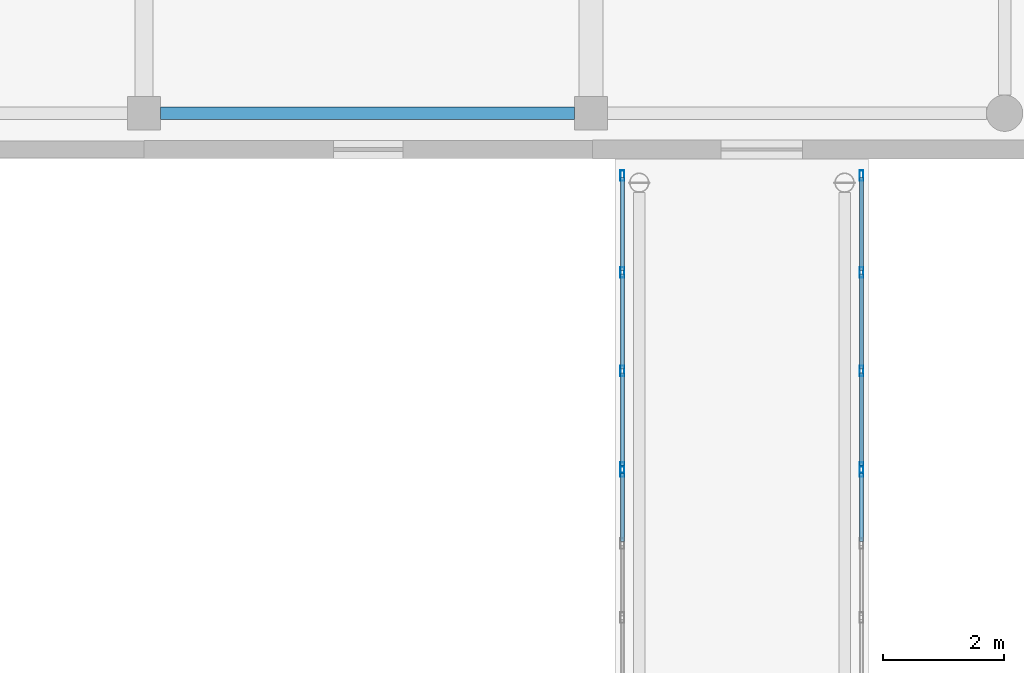
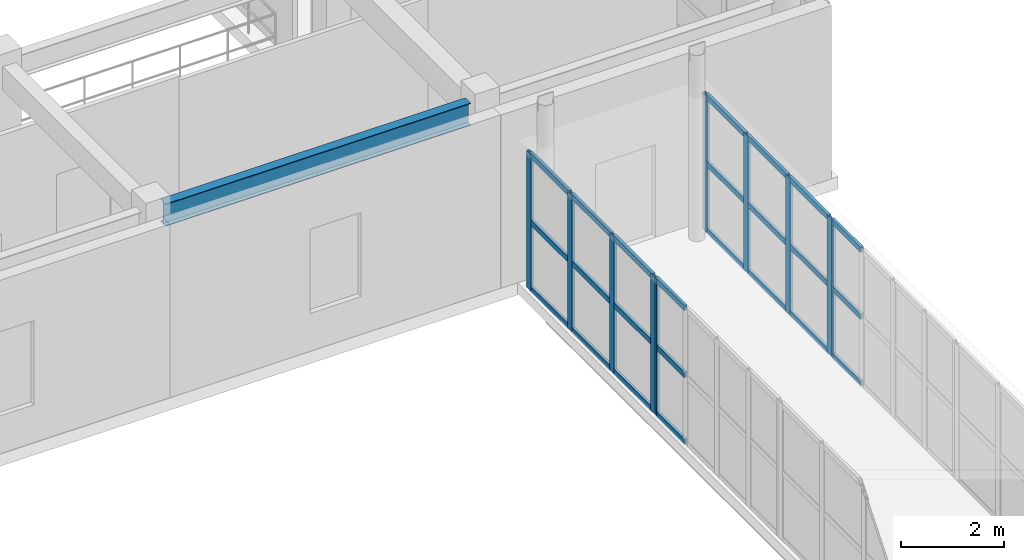
# One storey, part 28 of 142: 34 members, 1 beam, 4 elements without a shape of their own.
"""IFC4 building model written with IfcOpenShell, lengths in metres."""

from ifc_helpers import new_model, si_unit, direction, frame, origin, origin_2d, place, context, subcontext, project, spatial, hollow_rectangle, i_section, extrude, material, layer, layer_set, material_profile, profile_set, type_object, element, aggregate, save


model = new_model("IFC4")

# Units and contexts
model_context = context("Model", 3, precision=1e-05, world=origin(), true_north=direction((0.0, 1.0)))
body_context = subcontext(model_context, "Body", "Model", "MODEL_VIEW")
ifc_project = project(units=[si_unit("LENGTHUNIT", "METRE"), si_unit("AREAUNIT", "SQUARE_METRE"), si_unit("VOLUMEUNIT", "CUBIC_METRE"), si_unit("PLANEANGLEUNIT", "RADIAN"), si_unit("MASSUNIT", "GRAM", prefix="KILO")], contexts=[model_context])

# Site, building, storey
site_placement = place(None, origin())
site = spatial("IfcSite", under=ifc_project, at=site_placement, CompositionType="ELEMENT")
building_placement = place(site_placement, origin())
building = spatial("IfcBuilding", under=site, at=building_placement, Name="Valcora Specialist Clinic", CompositionType="ELEMENT")
storey_placement = place(building_placement, frame((0.0, 0.0, 5.10009765625)))
storey = spatial("IfcBuildingStorey", under=building, at=storey_placement, Name="L01", CompositionType="ELEMENT", Elevation=5.10009765625)

# Beam
ifc_material_1 = material(Name="Steel ASTM A992 Grade 50", Category="steel")
ifc_material_profile_1 = material_profile(ifc_material_1, i_section(OverallWidth=0.208984375, OverallDepth=0.532958984375, WebThickness=0.010009765625, FlangeThickness=0.01611328125, at=origin_2d()), Name="ST-IR-530X210")
ifc_profile_set_1 = profile_set([ifc_material_profile_1], Name="Steel ASTM A992 Grade 50")
beam_type = type_object("IfcBeamType", Name="TY-BM-IR530", PredefinedType="SPANDREL", material=ifc_profile_set_1)
beam_placement = place(storey_placement, frame((15.27490234375, 38.75, 3.849365234375), z_axis=(1.0, 0.0, 0.0), x_axis=(0.0, 1.0, 0.0)))
element("IfcBeam", 1, at=beam_placement, inside=storey, type_object=beam_type, Name="Beam BM-L01-0135", PredefinedType="SPANDREL", context=body_context, shape_type="SweptSolid", body=[
    extrude(i_section(OverallWidth=0.208984375, OverallDepth=0.532958984375, WebThickness=0.010009765625, FlangeThickness=0.01611328125, at=origin_2d()), origin(), (0.0, 0.0, 1.0), 6.85009765625),
])

# Curtain wall, member
ifc_material_2 = material(Name="Anodized Bronze Aluminium 6063-T6", Category="aluminium")
ifc_layer = layer(ifc_material_2, 0.175048828125)
ifc_layer_set = layer_set([ifc_layer], Name="Anodized Bronze Aluminium 6063-T6")
curtain_wall_type = type_object("IfcCurtainWallType", Name="TY-CW-BRG14", PredefinedType="NOTDEFINED", material=ifc_layer_set)
curtain_wall_1_placement = place(storey_placement, origin())
curtain_wall_1 = element("IfcCurtainWall", 2, at=curtain_wall_1_placement, inside=storey, type_object=curtain_wall_type, Name="Curtain wall CW-L01-226", PredefinedType="NOTDEFINED")
ifc_material_profile_2 = material_profile(ifc_material_2, hollow_rectangle(XDim=0.06494140625, YDim=0.175048828125, WallThickness=0.00390625, at=origin_2d()), Name="AL-MUL-65X175")
ifc_profile_set_2 = profile_set([ifc_material_profile_2], Name="Anodized Bronze Aluminium 6063-T6")
member_type_1 = type_object("IfcMemberType", Name="TY-CWM-65X175", PredefinedType="MULLION", material=ifc_profile_set_2)
member_1_placement = place(storey_placement, frame((22.919921875, 32.8173828125, 0.0), z_axis=(0.0, 0.0, 1.0), x_axis=(-1.0, 0.0, 0.0)))
member_1 = element("IfcMember", 3, at=member_1_placement, type_object=member_type_1, Name="CW-BRG-14 mullion 5", PredefinedType="MULLION", context=body_context, shape_type="SweptSolid", body=[
    extrude(hollow_rectangle(XDim=0.06494140625, YDim=0.175048828125, WallThickness=0.00390625, at=origin_2d()), origin(), (0.0, 0.0, 1.0), 3.239990234375),
])

# Curtain wall, members
curtain_wall_2_placement = place(storey_placement, origin())
curtain_wall_2 = element("IfcCurtainWall", 4, at=curtain_wall_2_placement, inside=storey, type_object=curtain_wall_type, Name="Curtain wall CW-L01-227", PredefinedType="NOTDEFINED")
member_2_placement = place(storey_placement, frame((22.919921875, 32.882568359375, 0.0), z_axis=(0.0, 0.0, 1.0), x_axis=(-1.0, 0.0, 0.0)))
member_2 = element("IfcMember", 5, at=member_2_placement, type_object=member_type_1, Name="CW-BRG-14 mullion 1", PredefinedType="MULLION", context=body_context, shape_type="SweptSolid", body=[
    extrude(hollow_rectangle(XDim=0.06494140625, YDim=0.175048828125, WallThickness=0.00390625, at=origin_2d()), origin(), (0.0, 0.0, 1.0), 3.239990234375),
])
member_3_placement = place(storey_placement, frame((22.919921875, 34.4833984375, 0.0), z_axis=(0.0, 0.0, 1.0), x_axis=(-1.0, 0.0, 0.0)))
member_3 = element("IfcMember", 6, at=member_3_placement, type_object=member_type_1, Name="CW-BRG-14 mullion 2", PredefinedType="MULLION", context=body_context, shape_type="SweptSolid", body=[
    extrude(hollow_rectangle(XDim=0.06494140625, YDim=0.175048828125, WallThickness=0.00390625, at=origin_2d()), origin(), (0.0, 0.0, 1.0), 3.239990234375),
])
member_4_placement = place(storey_placement, frame((22.919921875, 36.11669921875, 0.0), z_axis=(0.0, 0.0, 1.0), x_axis=(-1.0, 0.0, 0.0)))
member_4 = element("IfcMember", 7, at=member_4_placement, type_object=member_type_1, Name="CW-BRG-14 mullion 3", PredefinedType="MULLION", context=body_context, shape_type="SweptSolid", body=[
    extrude(hollow_rectangle(XDim=0.06494140625, YDim=0.175048828125, WallThickness=0.00390625, at=origin_2d()), origin(), (0.0, 0.0, 1.0), 3.239990234375),
])
member_5_placement = place(storey_placement, frame((22.919921875, 37.717529296875, 0.0), z_axis=(0.0, 0.0, 1.0), x_axis=(-1.0, 0.0, 0.0)))
member_5 = element("IfcMember", 8, at=member_5_placement, type_object=member_type_1, Name="CW-BRG-14 mullion 4", PredefinedType="MULLION", context=body_context, shape_type="SweptSolid", body=[
    extrude(hollow_rectangle(XDim=0.06494140625, YDim=0.175048828125, WallThickness=0.00390625, at=origin_2d()), origin(), (0.0, 0.0, 1.0), 3.239990234375),
])

# Curtain wall, member
curtain_wall_3_placement = place(storey_placement, origin())
curtain_wall_3 = element("IfcCurtainWall", 9, at=curtain_wall_3_placement, inside=storey, type_object=curtain_wall_type, Name="Curtain wall CW-L01-229", PredefinedType="NOTDEFINED")
member_6_placement = place(storey_placement, frame((26.8798828125, 32.8173828125, 0.0), z_axis=(0.0, 0.0, 1.0), x_axis=(-1.0, 0.0, 0.0)))
member_6 = element("IfcMember", 10, at=member_6_placement, type_object=member_type_1, Name="CW-BRG-14 mullion 5", PredefinedType="MULLION", context=body_context, shape_type="SweptSolid", body=[
    extrude(hollow_rectangle(XDim=0.06494140625, YDim=0.175048828125, WallThickness=0.00390625, at=origin_2d()), origin(), (0.0, 0.0, 1.0), 3.239990234375),
])

# Curtain wall, members
curtain_wall_4_placement = place(storey_placement, origin())
curtain_wall_4 = element("IfcCurtainWall", 11, at=curtain_wall_4_placement, inside=storey, type_object=curtain_wall_type, Name="Curtain wall CW-L01-230", PredefinedType="NOTDEFINED")
member_7_placement = place(storey_placement, frame((26.8798828125, 32.882568359375, 0.0), z_axis=(0.0, 0.0, 1.0), x_axis=(-1.0, 0.0, 0.0)))
member_7 = element("IfcMember", 12, at=member_7_placement, type_object=member_type_1, Name="CW-BRG-14 mullion 1", PredefinedType="MULLION", context=body_context, shape_type="SweptSolid", body=[
    extrude(hollow_rectangle(XDim=0.06494140625, YDim=0.175048828125, WallThickness=0.00390625, at=origin_2d()), origin(), (0.0, 0.0, 1.0), 3.239990234375),
])
member_8_placement = place(storey_placement, frame((26.8798828125, 34.4833984375, 0.0), z_axis=(0.0, 0.0, 1.0), x_axis=(-1.0, 0.0, 0.0)))
member_8 = element("IfcMember", 13, at=member_8_placement, type_object=member_type_1, Name="CW-BRG-14 mullion 2", PredefinedType="MULLION", context=body_context, shape_type="SweptSolid", body=[
    extrude(hollow_rectangle(XDim=0.06494140625, YDim=0.175048828125, WallThickness=0.00390625, at=origin_2d()), origin(), (0.0, 0.0, 1.0), 3.239990234375),
])
member_9_placement = place(storey_placement, frame((26.8798828125, 36.11669921875, 0.0), z_axis=(0.0, 0.0, 1.0), x_axis=(-1.0, 0.0, 0.0)))
member_9 = element("IfcMember", 14, at=member_9_placement, type_object=member_type_1, Name="CW-BRG-14 mullion 3", PredefinedType="MULLION", context=body_context, shape_type="SweptSolid", body=[
    extrude(hollow_rectangle(XDim=0.06494140625, YDim=0.175048828125, WallThickness=0.00390625, at=origin_2d()), origin(), (0.0, 0.0, 1.0), 3.239990234375),
])
member_10_placement = place(storey_placement, frame((26.8798828125, 37.717529296875, 0.0), z_axis=(0.0, 0.0, 1.0), x_axis=(-1.0, 0.0, 0.0)))
member_10 = element("IfcMember", 15, at=member_10_placement, type_object=member_type_1, Name="CW-BRG-14 mullion 4", PredefinedType="MULLION", context=body_context, shape_type="SweptSolid", body=[
    extrude(hollow_rectangle(XDim=0.06494140625, YDim=0.175048828125, WallThickness=0.00390625, at=origin_2d()), origin(), (0.0, 0.0, 1.0), 3.239990234375),
])

# Member
ifc_material_profile_3 = material_profile(ifc_material_2, hollow_rectangle(XDim=0.06494140625, YDim=0.1298828125, WallThickness=0.00390625, at=origin_2d()), Name="AL-TRN-65X130")
ifc_profile_set_3 = profile_set([ifc_material_profile_3], Name="Anodized Bronze Aluminium 6063-T6")
member_type_2 = type_object("IfcMemberType", Name="TY-CWT-65X130", PredefinedType="USERDEFINED", material=ifc_profile_set_3)
member_11_placement = place(storey_placement, frame((22.919921875, 31.657470703125, 0.032470703125), z_axis=(0.0, 1.0, 0.0), x_axis=(-1.0, 0.0, 0.0)))
member_11 = element("IfcMember", 16, at=member_11_placement, type_object=member_type_2, Name="CW-BRG-14 transom 4.1", ObjectType="TRANSOM", PredefinedType="USERDEFINED", context=body_context, shape_type="SweptSolid", body=[
    extrude(hollow_rectangle(XDim=0.06494140625, YDim=0.1298828125, WallThickness=0.00390625, at=origin_2d()), origin(), (0.0, 0.0, 1.0), 1.12744140625),
])

member_12_placement = place(storey_placement, frame((22.919921875, 31.657470703125, 1.619873046875), z_axis=(0.0, 1.0, 0.0), x_axis=(-1.0, 0.0, 0.0)))
member_12 = element("IfcMember", 17, at=member_12_placement, type_object=member_type_2, Name="CW-BRG-14 transom 4.2", ObjectType="TRANSOM", PredefinedType="USERDEFINED", context=body_context, shape_type="SweptSolid", body=[
    extrude(hollow_rectangle(XDim=0.06494140625, YDim=0.1298828125, WallThickness=0.00390625, at=origin_2d()), origin(), (0.0, 0.0, 1.0), 1.12744140625),
])

member_13_placement = place(storey_placement, frame((22.919921875, 31.657470703125, 3.20751953125), z_axis=(0.0, 1.0, 0.0), x_axis=(-1.0, 0.0, 0.0)))
member_13 = element("IfcMember", 18, at=member_13_placement, type_object=member_type_2, Name="CW-BRG-14 transom 4.3", ObjectType="TRANSOM", PredefinedType="USERDEFINED", context=body_context, shape_type="SweptSolid", body=[
    extrude(hollow_rectangle(XDim=0.06494140625, YDim=0.1298828125, WallThickness=0.00390625, at=origin_2d()), origin(), (0.0, 0.0, 1.0), 1.12744140625),
])

aggregate(curtain_wall_1, [member_1, member_11, member_12, member_13])

member_14_placement = place(storey_placement, frame((22.919921875, 32.9150390625, 0.032470703125), z_axis=(0.0, 1.0, 0.0), x_axis=(-1.0, 0.0, 0.0)))
member_14 = element("IfcMember", 19, at=member_14_placement, type_object=member_type_2, Name="CW-BRG-14 transom 1.1", ObjectType="TRANSOM", PredefinedType="USERDEFINED", context=body_context, shape_type="SweptSolid", body=[
    extrude(hollow_rectangle(XDim=0.06494140625, YDim=0.1298828125, WallThickness=0.00390625, at=origin_2d()), origin(), (0.0, 0.0, 1.0), 1.535888671875),
])

member_15_placement = place(storey_placement, frame((22.919921875, 32.9150390625, 1.619873046875), z_axis=(0.0, 1.0, 0.0), x_axis=(-1.0, 0.0, 0.0)))
member_15 = element("IfcMember", 20, at=member_15_placement, type_object=member_type_2, Name="CW-BRG-14 transom 1.2", ObjectType="TRANSOM", PredefinedType="USERDEFINED", context=body_context, shape_type="SweptSolid", body=[
    extrude(hollow_rectangle(XDim=0.06494140625, YDim=0.1298828125, WallThickness=0.00390625, at=origin_2d()), origin(), (0.0, 0.0, 1.0), 1.535888671875),
])

member_16_placement = place(storey_placement, frame((22.919921875, 32.9150390625, 3.20751953125), z_axis=(0.0, 1.0, 0.0), x_axis=(-1.0, 0.0, 0.0)))
member_16 = element("IfcMember", 21, at=member_16_placement, type_object=member_type_2, Name="CW-BRG-14 transom 1.3", ObjectType="TRANSOM", PredefinedType="USERDEFINED", context=body_context, shape_type="SweptSolid", body=[
    extrude(hollow_rectangle(XDim=0.06494140625, YDim=0.1298828125, WallThickness=0.00390625, at=origin_2d()), origin(), (0.0, 0.0, 1.0), 1.535888671875),
])

member_17_placement = place(storey_placement, frame((22.919921875, 34.515869140625, 0.032470703125), z_axis=(0.0, 1.0, 0.0), x_axis=(-1.0, 0.0, 0.0)))
member_17 = element("IfcMember", 22, at=member_17_placement, type_object=member_type_2, Name="CW-BRG-14 transom 2.1", ObjectType="TRANSOM", PredefinedType="USERDEFINED", context=body_context, shape_type="SweptSolid", body=[
    extrude(hollow_rectangle(XDim=0.06494140625, YDim=0.1298828125, WallThickness=0.00390625, at=origin_2d()), origin(), (0.0, 0.0, 1.0), 1.568359375),
])

member_18_placement = place(storey_placement, frame((22.919921875, 34.515869140625, 1.619873046875), z_axis=(0.0, 1.0, 0.0), x_axis=(-1.0, 0.0, 0.0)))
member_18 = element("IfcMember", 23, at=member_18_placement, type_object=member_type_2, Name="CW-BRG-14 transom 2.2", ObjectType="TRANSOM", PredefinedType="USERDEFINED", context=body_context, shape_type="SweptSolid", body=[
    extrude(hollow_rectangle(XDim=0.06494140625, YDim=0.1298828125, WallThickness=0.00390625, at=origin_2d()), origin(), (0.0, 0.0, 1.0), 1.568359375),
])

member_19_placement = place(storey_placement, frame((22.919921875, 34.515869140625, 3.20751953125), z_axis=(0.0, 1.0, 0.0), x_axis=(-1.0, 0.0, 0.0)))
member_19 = element("IfcMember", 24, at=member_19_placement, type_object=member_type_2, Name="CW-BRG-14 transom 2.3", ObjectType="TRANSOM", PredefinedType="USERDEFINED", context=body_context, shape_type="SweptSolid", body=[
    extrude(hollow_rectangle(XDim=0.06494140625, YDim=0.1298828125, WallThickness=0.00390625, at=origin_2d()), origin(), (0.0, 0.0, 1.0), 1.568359375),
])

member_20_placement = place(storey_placement, frame((22.919921875, 36.149169921875, 0.032470703125), z_axis=(0.0, 1.0, 0.0), x_axis=(-1.0, 0.0, 0.0)))
member_20 = element("IfcMember", 25, at=member_20_placement, type_object=member_type_2, Name="CW-BRG-14 transom 3.1", ObjectType="TRANSOM", PredefinedType="USERDEFINED", context=body_context, shape_type="SweptSolid", body=[
    extrude(hollow_rectangle(XDim=0.06494140625, YDim=0.1298828125, WallThickness=0.00390625, at=origin_2d()), origin(), (0.0, 0.0, 1.0), 1.535888671875),
])

member_21_placement = place(storey_placement, frame((22.919921875, 36.149169921875, 1.619873046875), z_axis=(0.0, 1.0, 0.0), x_axis=(-1.0, 0.0, 0.0)))
member_21 = element("IfcMember", 26, at=member_21_placement, type_object=member_type_2, Name="CW-BRG-14 transom 3.2", ObjectType="TRANSOM", PredefinedType="USERDEFINED", context=body_context, shape_type="SweptSolid", body=[
    extrude(hollow_rectangle(XDim=0.06494140625, YDim=0.1298828125, WallThickness=0.00390625, at=origin_2d()), origin(), (0.0, 0.0, 1.0), 1.535888671875),
])

member_22_placement = place(storey_placement, frame((22.919921875, 36.149169921875, 3.20751953125), z_axis=(0.0, 1.0, 0.0), x_axis=(-1.0, 0.0, 0.0)))
member_22 = element("IfcMember", 27, at=member_22_placement, type_object=member_type_2, Name="CW-BRG-14 transom 3.3", ObjectType="TRANSOM", PredefinedType="USERDEFINED", context=body_context, shape_type="SweptSolid", body=[
    extrude(hollow_rectangle(XDim=0.06494140625, YDim=0.1298828125, WallThickness=0.00390625, at=origin_2d()), origin(), (0.0, 0.0, 1.0), 1.535888671875),
])

aggregate(curtain_wall_2, [member_2, member_3, member_4, member_5, member_14, member_15, member_16, member_17, member_18, member_19, member_20, member_21, member_22])

member_23_placement = place(storey_placement, frame((26.8798828125, 31.657470703125, 0.032470703125), z_axis=(0.0, 1.0, 0.0), x_axis=(-1.0, 0.0, 0.0)))
member_23 = element("IfcMember", 28, at=member_23_placement, type_object=member_type_2, Name="CW-BRG-14 transom 4.1", ObjectType="TRANSOM", PredefinedType="USERDEFINED", context=body_context, shape_type="SweptSolid", body=[
    extrude(hollow_rectangle(XDim=0.06494140625, YDim=0.1298828125, WallThickness=0.00390625, at=origin_2d()), origin(), (0.0, 0.0, 1.0), 1.12744140625),
])

member_24_placement = place(storey_placement, frame((26.8798828125, 31.657470703125, 1.619873046875), z_axis=(0.0, 1.0, 0.0), x_axis=(-1.0, 0.0, 0.0)))
member_24 = element("IfcMember", 29, at=member_24_placement, type_object=member_type_2, Name="CW-BRG-14 transom 4.2", ObjectType="TRANSOM", PredefinedType="USERDEFINED", context=body_context, shape_type="SweptSolid", body=[
    extrude(hollow_rectangle(XDim=0.06494140625, YDim=0.1298828125, WallThickness=0.00390625, at=origin_2d()), origin(), (0.0, 0.0, 1.0), 1.12744140625),
])

member_25_placement = place(storey_placement, frame((26.8798828125, 31.657470703125, 3.20751953125), z_axis=(0.0, 1.0, 0.0), x_axis=(-1.0, 0.0, 0.0)))
member_25 = element("IfcMember", 30, at=member_25_placement, type_object=member_type_2, Name="CW-BRG-14 transom 4.3", ObjectType="TRANSOM", PredefinedType="USERDEFINED", context=body_context, shape_type="SweptSolid", body=[
    extrude(hollow_rectangle(XDim=0.06494140625, YDim=0.1298828125, WallThickness=0.00390625, at=origin_2d()), origin(), (0.0, 0.0, 1.0), 1.12744140625),
])

aggregate(curtain_wall_3, [member_6, member_23, member_24, member_25])

member_26_placement = place(storey_placement, frame((26.8798828125, 32.9150390625, 0.032470703125), z_axis=(0.0, 1.0, 0.0), x_axis=(-1.0, 0.0, 0.0)))
member_26 = element("IfcMember", 31, at=member_26_placement, type_object=member_type_2, Name="CW-BRG-14 transom 1.1", ObjectType="TRANSOM", PredefinedType="USERDEFINED", context=body_context, shape_type="SweptSolid", body=[
    extrude(hollow_rectangle(XDim=0.06494140625, YDim=0.1298828125, WallThickness=0.00390625, at=origin_2d()), origin(), (0.0, 0.0, 1.0), 1.535888671875),
])

member_27_placement = place(storey_placement, frame((26.8798828125, 32.9150390625, 1.619873046875), z_axis=(0.0, 1.0, 0.0), x_axis=(-1.0, 0.0, 0.0)))
member_27 = element("IfcMember", 32, at=member_27_placement, type_object=member_type_2, Name="CW-BRG-14 transom 1.2", ObjectType="TRANSOM", PredefinedType="USERDEFINED", context=body_context, shape_type="SweptSolid", body=[
    extrude(hollow_rectangle(XDim=0.06494140625, YDim=0.1298828125, WallThickness=0.00390625, at=origin_2d()), origin(), (0.0, 0.0, 1.0), 1.535888671875),
])

member_28_placement = place(storey_placement, frame((26.8798828125, 32.9150390625, 3.20751953125), z_axis=(0.0, 1.0, 0.0), x_axis=(-1.0, 0.0, 0.0)))
member_28 = element("IfcMember", 33, at=member_28_placement, type_object=member_type_2, Name="CW-BRG-14 transom 1.3", ObjectType="TRANSOM", PredefinedType="USERDEFINED", context=body_context, shape_type="SweptSolid", body=[
    extrude(hollow_rectangle(XDim=0.06494140625, YDim=0.1298828125, WallThickness=0.00390625, at=origin_2d()), origin(), (0.0, 0.0, 1.0), 1.535888671875),
])

member_29_placement = place(storey_placement, frame((26.8798828125, 34.515869140625, 0.032470703125), z_axis=(0.0, 1.0, 0.0), x_axis=(-1.0, 0.0, 0.0)))
member_29 = element("IfcMember", 34, at=member_29_placement, type_object=member_type_2, Name="CW-BRG-14 transom 2.1", ObjectType="TRANSOM", PredefinedType="USERDEFINED", context=body_context, shape_type="SweptSolid", body=[
    extrude(hollow_rectangle(XDim=0.06494140625, YDim=0.1298828125, WallThickness=0.00390625, at=origin_2d()), origin(), (0.0, 0.0, 1.0), 1.568359375),
])

member_30_placement = place(storey_placement, frame((26.8798828125, 34.515869140625, 1.619873046875), z_axis=(0.0, 1.0, 0.0), x_axis=(-1.0, 0.0, 0.0)))
member_30 = element("IfcMember", 35, at=member_30_placement, type_object=member_type_2, Name="CW-BRG-14 transom 2.2", ObjectType="TRANSOM", PredefinedType="USERDEFINED", context=body_context, shape_type="SweptSolid", body=[
    extrude(hollow_rectangle(XDim=0.06494140625, YDim=0.1298828125, WallThickness=0.00390625, at=origin_2d()), origin(), (0.0, 0.0, 1.0), 1.568359375),
])

member_31_placement = place(storey_placement, frame((26.8798828125, 34.515869140625, 3.20751953125), z_axis=(0.0, 1.0, 0.0), x_axis=(-1.0, 0.0, 0.0)))
member_31 = element("IfcMember", 36, at=member_31_placement, type_object=member_type_2, Name="CW-BRG-14 transom 2.3", ObjectType="TRANSOM", PredefinedType="USERDEFINED", context=body_context, shape_type="SweptSolid", body=[
    extrude(hollow_rectangle(XDim=0.06494140625, YDim=0.1298828125, WallThickness=0.00390625, at=origin_2d()), origin(), (0.0, 0.0, 1.0), 1.568359375),
])

member_32_placement = place(storey_placement, frame((26.8798828125, 36.149169921875, 0.032470703125), z_axis=(0.0, 1.0, 0.0), x_axis=(-1.0, 0.0, 0.0)))
member_32 = element("IfcMember", 37, at=member_32_placement, type_object=member_type_2, Name="CW-BRG-14 transom 3.1", ObjectType="TRANSOM", PredefinedType="USERDEFINED", context=body_context, shape_type="SweptSolid", body=[
    extrude(hollow_rectangle(XDim=0.06494140625, YDim=0.1298828125, WallThickness=0.00390625, at=origin_2d()), origin(), (0.0, 0.0, 1.0), 1.535888671875),
])

member_33_placement = place(storey_placement, frame((26.8798828125, 36.149169921875, 1.619873046875), z_axis=(0.0, 1.0, 0.0), x_axis=(-1.0, 0.0, 0.0)))
member_33 = element("IfcMember", 38, at=member_33_placement, type_object=member_type_2, Name="CW-BRG-14 transom 3.2", ObjectType="TRANSOM", PredefinedType="USERDEFINED", context=body_context, shape_type="SweptSolid", body=[
    extrude(hollow_rectangle(XDim=0.06494140625, YDim=0.1298828125, WallThickness=0.00390625, at=origin_2d()), origin(), (0.0, 0.0, 1.0), 1.535888671875),
])

member_34_placement = place(storey_placement, frame((26.8798828125, 36.149169921875, 3.20751953125), z_axis=(0.0, 1.0, 0.0), x_axis=(-1.0, 0.0, 0.0)))
member_34 = element("IfcMember", 39, at=member_34_placement, type_object=member_type_2, Name="CW-BRG-14 transom 3.3", ObjectType="TRANSOM", PredefinedType="USERDEFINED", context=body_context, shape_type="SweptSolid", body=[
    extrude(hollow_rectangle(XDim=0.06494140625, YDim=0.1298828125, WallThickness=0.00390625, at=origin_2d()), origin(), (0.0, 0.0, 1.0), 1.535888671875),
])

aggregate(curtain_wall_4, [member_7, member_8, member_9, member_10, member_26, member_27, member_28, member_29, member_30, member_31, member_32, member_33, member_34])

save(model, "model.ifc")
